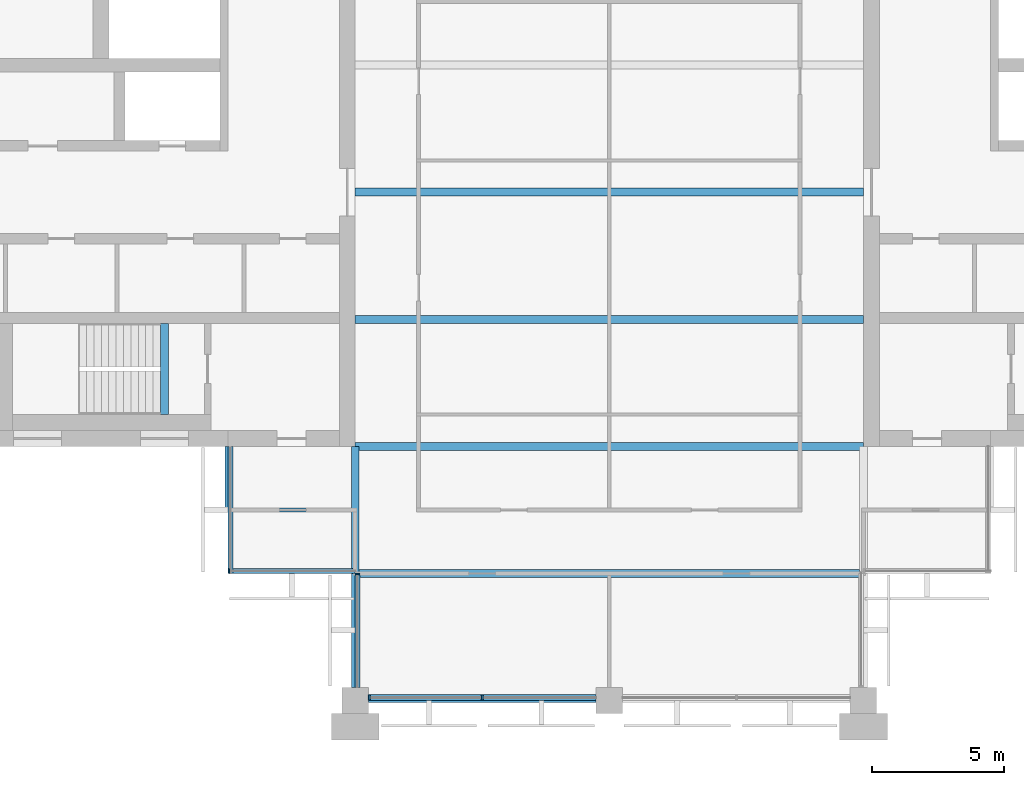
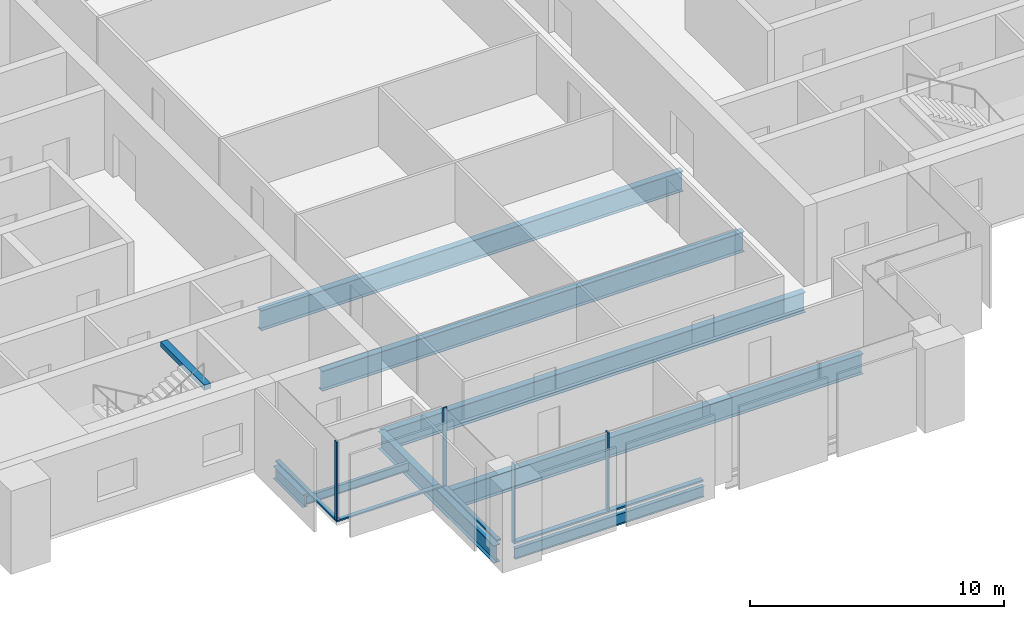
# One storey, part 2 of 12: 9 beams, 8 members, 4 elements without a shape of their own.
"""IFC4 building model written with IfcOpenShell, lengths in metres."""

from ifc_helpers import new_model, si_unit, direction, frame, origin, origin_2d, place, context, subcontext, project, spatial, rectangle, i_section, extrude, material, material_profile, profile_set, type_object, element, aggregate, save


model = new_model("IFC4")

# Units and contexts
model_context = context("Model", 3, precision=1e-05, world=origin(), true_north=direction((0.0, 1.0)))
body_context = subcontext(model_context, "Body", "Model", "MODEL_VIEW")
ifc_project = project(units=[si_unit("LENGTHUNIT", "METRE"), si_unit("AREAUNIT", "SQUARE_METRE"), si_unit("VOLUMEUNIT", "CUBIC_METRE"), si_unit("PLANEANGLEUNIT", "RADIAN"), si_unit("MASSUNIT", "GRAM", prefix="KILO")], contexts=[model_context])

# Site, building, storey
site_placement = place(None, origin())
site = spatial("IfcSite", under=ifc_project, at=site_placement, CompositionType="ELEMENT")
building_placement = place(site_placement, origin())
building = spatial("IfcBuilding", under=site, at=building_placement, Name="Baori Bourse Tower", CompositionType="ELEMENT")
storey_placement = place(building_placement, frame((0.0, 0.0, 310.300048828125)))
storey = spatial("IfcBuildingStorey", under=building, at=storey_placement, Name="L68", CompositionType="ELEMENT", Elevation=310.300048828125)

# Curtain wall, member
ifc_material_1 = material(Name="Pale anodised aluminium", Category="aluminium")
curtain_wall_type_1 = type_object("IfcCurtainWallType", Name="CW2 Curtain wall", PredefinedType="NOTDEFINED", material=ifc_material_1)
curtain_wall_1_placement = place(storey_placement, origin())
curtain_wall_1 = element("IfcCurtainWall", 1, at=curtain_wall_1_placement, inside=storey, type_object=curtain_wall_type_1, Name="Curtain wall CW2 L68 9", PredefinedType="NOTDEFINED")
ifc_material_2 = material(Name="Pale anodised aluminium", Category="aluminium")
ifc_material_profile_1 = material_profile(ifc_material_2, rectangle(XDim=0.179931640625, YDim=0.054931640625, at=origin_2d()), Name="Mullion 55x180")
ifc_profile_set_1 = profile_set([ifc_material_profile_1], Name="Pale anodised aluminium")
member_type_1 = type_object("IfcMemberType", Name="CW2 Curtain wall mullion", PredefinedType="MULLION", material=ifc_profile_set_1)
member_1_placement = place(storey_placement, frame((14.427490234375, 4.889892578125, 0.070068359375), z_axis=(0.0, 0.0, 1.0), x_axis=(0.0, 1.0, 0.0)))
member_1 = element("IfcMember", 2, at=member_1_placement, type_object=member_type_1, Name="Curtain wall CW2 mullion", PredefinedType="MULLION", context=body_context, shape_type="SweptSolid", body=[
    extrude(rectangle(XDim=0.179931640625, YDim=0.054931640625, at=origin_2d()), origin(), (0.0, 0.0, 1.0), 3.769775390625),
])

curtain_wall_2_placement = place(storey_placement, origin())
curtain_wall_2 = element("IfcCurtainWall", 3, at=curtain_wall_2_placement, inside=storey, type_object=curtain_wall_type_1, Name="Curtain wall CW2 L68 10", PredefinedType="NOTDEFINED")
member_2_placement = place(storey_placement, frame((19.2900390625, 4.7724609375, 0.070068359375), z_axis=(0.0, 0.0, 1.0), x_axis=(1.0, 0.0, 0.0)))
member_2 = element("IfcMember", 4, at=member_2_placement, type_object=member_type_1, Name="Curtain wall CW2 mullion", PredefinedType="MULLION", context=body_context, shape_type="SweptSolid", body=[
    extrude(rectangle(XDim=0.179931640625, YDim=0.054931640625, at=origin_2d()), origin(), (0.0, 0.0, 1.0), 3.769775390625),
])

curtain_wall_3_placement = place(storey_placement, origin())
curtain_wall_3 = element("IfcCurtainWall", 5, at=curtain_wall_3_placement, inside=storey, type_object=curtain_wall_type_1, Name="Curtain wall CW2 L68 8", PredefinedType="NOTDEFINED")
ifc_material_3 = material(Name="Pale anodised aluminium", Category="aluminium")
ifc_material_profile_2 = material_profile(ifc_material_3, rectangle(XDim=0.179931640625, YDim=0.070068359375, at=origin_2d()), Name="Transom 70x180")
ifc_profile_set_2 = profile_set([ifc_material_profile_2], Name="Pale anodised aluminium")
member_type_2 = type_object("IfcMemberType", Name="CW2 Curtain wall transom", PredefinedType="USERDEFINED", material=ifc_profile_set_2)
member_3_placement = place(storey_placement, frame((14.489990234375, 9.60009765625, 0.034912109375), z_axis=(0.0, -1.0, 0.0), x_axis=(1.0, 0.0, 0.0)))
member_3 = element("IfcMember", 6, at=member_3_placement, type_object=member_type_2, Name="Curtain wall CW2 sill rail", ObjectType="TRANSOM", PredefinedType="USERDEFINED", context=body_context, shape_type="SweptSolid", body=[
    extrude(rectangle(XDim=0.179931640625, YDim=0.070068359375, at=origin_2d()), origin(), (0.0, 0.0, 1.0), 4.800048828125),
])
aggregate(curtain_wall_3, [member_3])

# Member
member_4_placement = place(storey_placement, frame((14.39990234375, 4.889892578125, 0.034912109375), z_axis=(1.0, 0.0, 0.0), x_axis=(0.0, 1.0, 0.0)))
member_4 = element("IfcMember", 7, at=member_4_placement, type_object=member_type_2, Name="Curtain wall CW2 sill rail", ObjectType="TRANSOM", PredefinedType="USERDEFINED", context=body_context, shape_type="SweptSolid", body=[
    extrude(rectangle(XDim=0.179931640625, YDim=0.070068359375, at=origin_2d()), origin(), (0.0, 0.0, 1.0), 4.800048828125),
])

aggregate(curtain_wall_1, [member_4, member_1])

member_5_placement = place(storey_placement, frame((19.2900390625, 4.800048828125, 0.034912109375), z_axis=(0.0, -1.0, 0.0), x_axis=(1.0, 0.0, 0.0)))
member_5 = element("IfcMember", 8, at=member_5_placement, type_object=member_type_2, Name="Curtain wall CW2 sill rail", ObjectType="TRANSOM", PredefinedType="USERDEFINED", context=body_context, shape_type="SweptSolid", body=[
    extrude(rectangle(XDim=0.179931640625, YDim=0.070068359375, at=origin_2d()), origin(), (0.0, 0.0, 1.0), 4.300048828125),
])

aggregate(curtain_wall_2, [member_5, member_2])

# Curtain wall, members
ifc_material_4 = material(Name="Pale anodised aluminium", Category="aluminium")
curtain_wall_type_2 = type_object("IfcCurtainWallType", Name="CW5 Curtain wall", PredefinedType="NOTDEFINED", material=ifc_material_4)
curtain_wall_4_placement = place(storey_placement, origin())
curtain_wall_4 = element("IfcCurtainWall", 9, at=curtain_wall_4_placement, inside=storey, type_object=curtain_wall_type_2, Name="Curtain wall CW5 L68 11", PredefinedType="NOTDEFINED")
ifc_material_5 = material(Name="Pale anodised aluminium", Category="aluminium")
ifc_material_profile_3 = material_profile(ifc_material_5, rectangle(XDim=0.219970703125, YDim=0.06494140625, at=origin_2d()), Name="Mullion 65x220")
ifc_profile_set_3 = profile_set([ifc_material_profile_3], Name="Pale anodised aluminium")
member_type_3 = type_object("IfcMemberType", Name="CW5 Curtain wall mullion", PredefinedType="MULLION", material=ifc_profile_set_3)
member_6_placement = place(storey_placement, frame((19.732421875, 0.110107421875, 0.0849609375), z_axis=(0.0, 0.0, 1.0), x_axis=(0.0, 1.0, 0.0)))
member_6 = element("IfcMember", 10, at=member_6_placement, type_object=member_type_3, Name="Curtain wall CW5 mullion", PredefinedType="MULLION", context=body_context, shape_type="SweptSolid", body=[
    extrude(rectangle(XDim=0.219970703125, YDim=0.06494140625, at=origin_2d()), origin(), (0.0, 0.0, 1.0), 3.7548828125),
])
member_7_placement = place(storey_placement, frame((24.0, 0.110107421875, 0.0849609375), z_axis=(0.0, 0.0, 1.0), x_axis=(0.0, 1.0, 0.0)))
member_7 = element("IfcMember", 11, at=member_7_placement, type_object=member_type_3, Name="Curtain wall CW5 mullion", PredefinedType="MULLION", context=body_context, shape_type="SweptSolid", body=[
    extrude(rectangle(XDim=0.219970703125, YDim=0.06494140625, at=origin_2d()), origin(), (0.0, 0.0, 1.0), 3.7548828125),
])
ifc_material_6 = material(Name="Pale anodised aluminium", Category="aluminium")
ifc_material_profile_4 = material_profile(ifc_material_6, rectangle(XDim=0.219970703125, YDim=0.0849609375, at=origin_2d()), Name="Transom 85x220")
ifc_profile_set_4 = profile_set([ifc_material_profile_4], Name="Pale anodised aluminium")
member_type_4 = type_object("IfcMemberType", Name="CW5 Curtain wall transom", PredefinedType="USERDEFINED", material=ifc_profile_set_4)
member_8_placement = place(storey_placement, frame((19.699951171875, 0.110107421875, 0.04248046875), z_axis=(1.0, 0.0, 0.0), x_axis=(0.0, 1.0, 0.0)))
member_8 = element("IfcMember", 12, at=member_8_placement, type_object=member_type_4, Name="Curtain wall CW5 sill rail", ObjectType="TRANSOM", PredefinedType="USERDEFINED", context=body_context, shape_type="SweptSolid", body=[
    extrude(rectangle(XDim=0.219970703125, YDim=0.0849609375, at=origin_2d()), origin(), (0.0, 0.0, 1.0), 8.60009765625),
])
aggregate(curtain_wall_4, [member_8, member_6, member_7])

# Beams
ifc_material_7 = material(Name="Steel A992 Gr 50", Category="steel")
ifc_material_profile_5 = material_profile(ifc_material_7, i_section(OverallWidth=0.227783203125, OverallDepth=0.60205078125, WebThickness=0.010498046875, FlangeThickness=0.014892578125, at=origin_2d()), Name="W24x68")
ifc_profile_set_5 = profile_set([ifc_material_profile_5], Name="Steel A992 Gr 50")
beam_type_1 = type_object("IfcBeamType", Name="Core bracket W24x68", PredefinedType="BEAM", material=ifc_profile_set_5)
beam_1_placement = place(storey_placement, frame((14.39990234375, 7.270263671875, -0.4609375), z_axis=(0.0, 1.0, 0.0), x_axis=(-1.0, 0.0, 0.0)))
element("IfcBeam", 13, at=beam_1_placement, inside=storey, type_object=beam_type_1, Name="Core bracket L68", PredefinedType="BEAM", context=body_context, shape_type="SweptSolid", body=[
    extrude(i_section(OverallWidth=0.227783203125, OverallDepth=0.60205078125, WebThickness=0.010498046875, FlangeThickness=0.014892578125, at=origin_2d()), origin(), (0.0, 0.0, 1.0), 2.329833984375),
])
ifc_material_8 = material(Name="Steel A992 Gr 50", Category="steel")
ifc_material_profile_6 = material_profile(ifc_material_8, i_section(OverallWidth=0.1650390625, OverallDepth=0.52587890625, WebThickness=0.0087890625, FlangeThickness=0.011474609375, at=origin_2d()), Name="W21x44")
ifc_profile_set_6 = profile_set([ifc_material_profile_6], Name="Steel A992 Gr 50")
beam_type_2 = type_object("IfcBeamType", Name="Edge beam W21x44", PredefinedType="BEAM", material=ifc_profile_set_6)
beam_2_placement = place(storey_placement, frame((19.699951171875, 0.0, -0.4228515625), z_axis=(1.0, 0.0, 0.0), x_axis=(0.0, 1.0, 0.0)))
element("IfcBeam", 14, at=beam_2_placement, inside=storey, type_object=beam_type_2, Name="Edge beam L68", PredefinedType="BEAM", context=body_context, shape_type="SweptSolid", body=[
    extrude(i_section(OverallWidth=0.1650390625, OverallDepth=0.52587890625, WebThickness=0.0087890625, FlangeThickness=0.011474609375, at=origin_2d()), origin(), (0.0, 0.0, 1.0), 8.60009765625),
])
ifc_material_9 = material(Name="Steel A992 Gr 50", Category="steel")
ifc_material_profile_7 = material_profile(ifc_material_9, i_section(OverallWidth=0.2998046875, OverallDepth=0.97021484375, WebThickness=0.01611328125, FlangeThickness=0.02099609375, at=origin_2d()), Name="W40x149")
ifc_profile_set_7 = profile_set([ifc_material_profile_7], Name="Steel A992 Gr 50")
beam_type_3 = type_object("IfcBeamType", Name="Floor beam W40x149", PredefinedType="BEAM", material=ifc_profile_set_7)
beam_3_placement = place(storey_placement, frame((19.345947265625, 4.800048828125, -0.645263671875), z_axis=(1.0, 0.0, 0.0), x_axis=(0.0, 1.0, 0.0)))
element("IfcBeam", 15, at=beam_3_placement, inside=storey, type_object=beam_type_3, Name="Floor beam L68", PredefinedType="BEAM", context=body_context, shape_type="SweptSolid", body=[
    extrude(i_section(OverallWidth=0.2998046875, OverallDepth=0.97021484375, WebThickness=0.01611328125, FlangeThickness=0.02099609375, at=origin_2d()), origin(), (0.0, 0.0, 1.0), 18.907958984375),
])
for number, where, z_axis, x_axis, name in (
    (16, (19.199951171875, 9.60009765625, -0.645263671875), (1.0, 0.0, 0.0), (0.0, 1.0, 0.0), "Floor beam L68"),
    (17, (19.199951171875, 14.39990234375, -0.645263671875), (1.0, 0.0, 0.0), (0.0, 1.0, 0.0), "Floor beam L68"),
    (18, (19.199951171875, 19.199951171875, -0.645263671875), (1.0, 0.0, 0.0), (0.0, 1.0, 0.0), "Floor beam L68"),
):
    element("IfcBeam", number, at=place(storey_placement, frame(where, z_axis=z_axis, x_axis=x_axis)), inside=storey, type_object=beam_type_3, Name=name, PredefinedType="BEAM", context=body_context, shape_type="SweptSolid", body=[
        extrude(i_section(OverallWidth=0.2998046875, OverallDepth=0.97021484375, WebThickness=0.01611328125, FlangeThickness=0.02099609375, at=origin_2d()), origin(), (0.0, 0.0, 1.0), 19.199951171875),
    ])
ifc_material_10 = material(Name="Steel A992 Gr 50", Category="steel")
ifc_material_profile_8 = material_profile(ifc_material_10, i_section(OverallWidth=0.2919921875, OverallDepth=0.835693359375, WebThickness=0.013916015625, FlangeThickness=0.018798828125, at=origin_2d()), Name="W33x118")
ifc_profile_set_8 = profile_set([ifc_material_profile_8], Name="Steel A992 Gr 50")
beam_type_4 = type_object("IfcBeamType", Name="Girder W33x118", PredefinedType="BEAM", material=ifc_profile_set_8)
beam_4_placement = place(storey_placement, frame((19.199951171875, 0.5, -0.577880859375), z_axis=(0.0, 1.0, 0.0), x_axis=(-1.0, 0.0, 0.0)))
element("IfcBeam", 19, at=beam_4_placement, inside=storey, type_object=beam_type_4, Name="Girder L68", PredefinedType="BEAM", context=body_context, shape_type="SweptSolid", body=[
    extrude(i_section(OverallWidth=0.2919921875, OverallDepth=0.835693359375, WebThickness=0.013916015625, FlangeThickness=0.018798828125, at=origin_2d()), origin(), (0.0, 0.0, 1.0), 9.10009765625),
])
ifc_material_11 = material(Name="Concrete f'c 50 MPa", Category="concrete")
ifc_material_profile_9 = material_profile(ifc_material_11, rectangle(XDim=0.300048828125, YDim=0.25, at=origin_2d()), Name="RC 300x250")
ifc_profile_set_9 = profile_set([ifc_material_profile_9], Name="Concrete f'c 50 MPa")
beam_type_5 = type_object("IfcBeamType", Name="Stair nib beam RC 300x250", PredefinedType="BEAM", material=ifc_profile_set_9)
beam_5_placement = place(storey_placement, frame((12.0, 10.800048828125, 3.71484375), z_axis=(0.0, 1.0, 0.0), x_axis=(-1.0, 0.0, 0.0)))
element("IfcBeam", 20, at=beam_5_placement, inside=storey, type_object=beam_type_5, Name="Stair WA nib beam L69", PredefinedType="BEAM", context=body_context, shape_type="SweptSolid", body=[
    extrude(rectangle(XDim=0.300048828125, YDim=0.25, at=origin_2d()), origin(), (0.0, 0.0, 1.0), 3.449951171875),
])
ifc_material_12 = material(Name="Steel A992 Gr 50", Category="steel")
ifc_material_profile_10 = material_profile(ifc_material_12, i_section(OverallWidth=0.140380859375, OverallDepth=0.40380859375, WebThickness=0.007080078125, FlangeThickness=0.01123046875, at=origin_2d()), Name="W16x31")
ifc_profile_set_10 = profile_set([ifc_material_profile_10], Name="Steel A992 Gr 50")
beam_type_6 = type_object("IfcBeamType", Name="Trimmer beam W16x31", PredefinedType="BEAM", material=ifc_profile_set_10)
beam_6_placement = place(storey_placement, frame((14.39990234375, 7.199951171875, -0.362060546875), z_axis=(1.0, 0.0, 0.0), x_axis=(0.0, 1.0, 0.0)))
element("IfcBeam", 21, at=beam_6_placement, inside=storey, type_object=beam_type_6, Name="Trimmer beam L68", PredefinedType="BEAM", context=body_context, shape_type="SweptSolid", body=[
    extrude(i_section(OverallWidth=0.140380859375, OverallDepth=0.40380859375, WebThickness=0.007080078125, FlangeThickness=0.01123046875, at=origin_2d()), origin(), (0.0, 0.0, 1.0), 4.654052734375),
])

save(model, "model.ifc")
